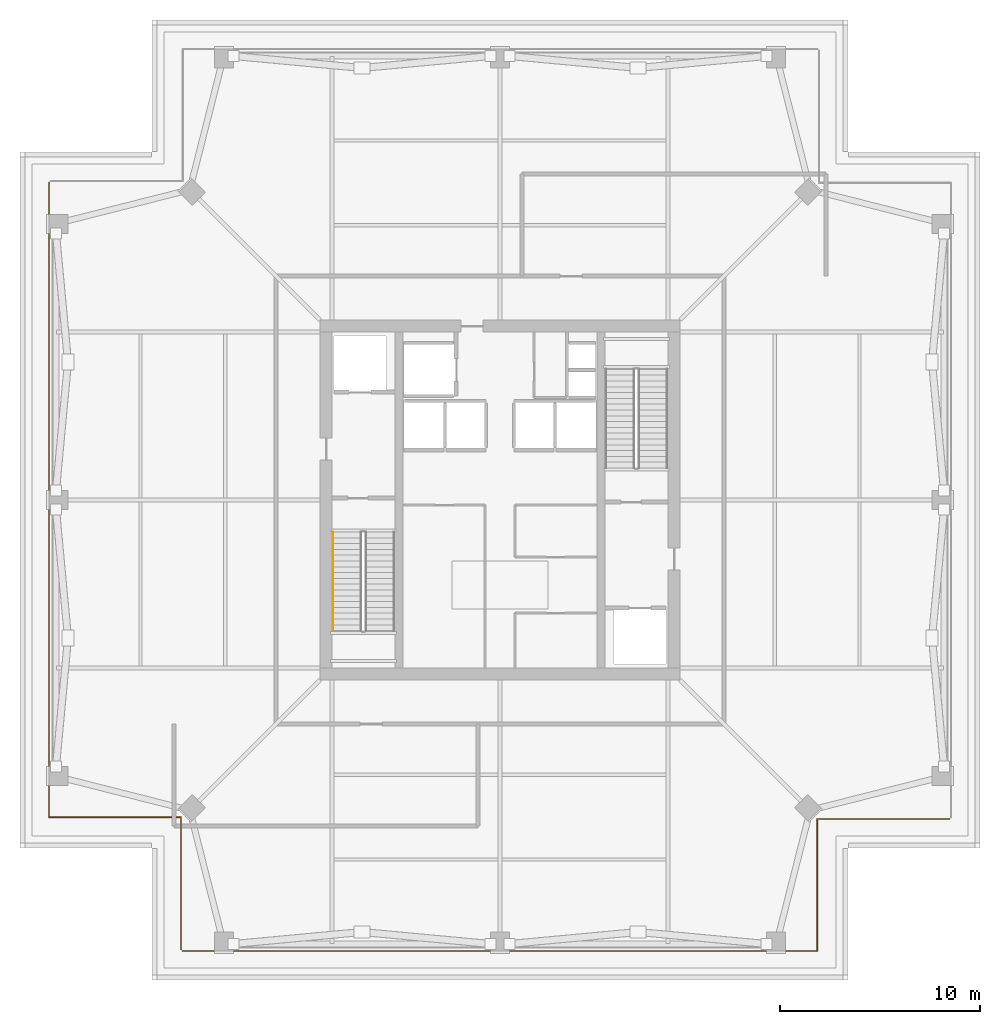
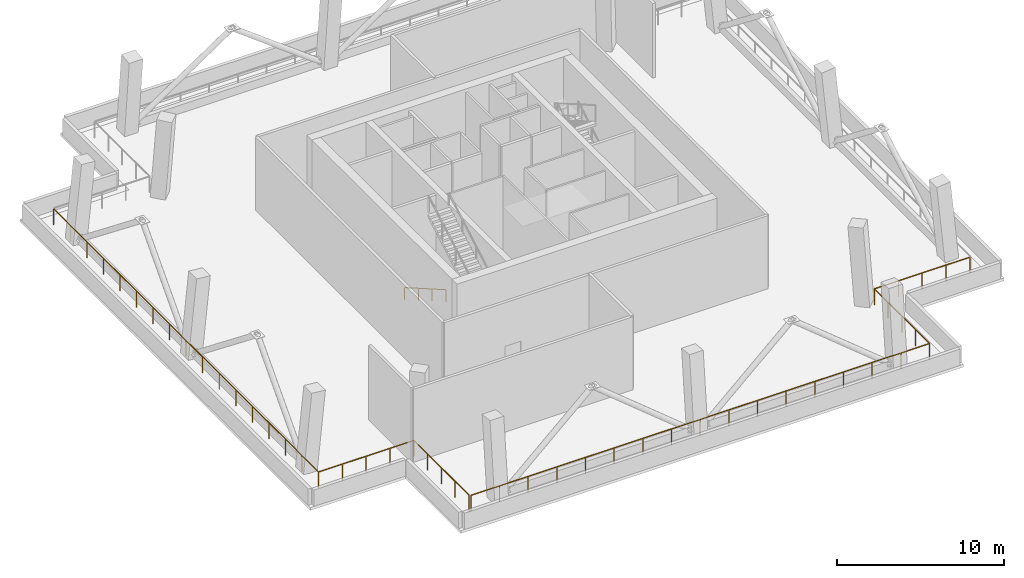
# One storey, part 5 of 7: 3 railings.
"""IFC4 building model written with IfcOpenShell, lengths in metres."""

from ifc_helpers import new_model, si_unit, direction, frame, origin, origin_2d, place, context, subcontext, project, spatial, rectangle, extrude, material, type_object, element, save


model = new_model("IFC4")

# Units and contexts
model_context = context("Model", 3, precision=1e-05, world=origin(), true_north=direction((0.0, 1.0)))
body_context = subcontext(model_context, "Body", "Model", "MODEL_VIEW")
ifc_project = project(units=[si_unit("LENGTHUNIT", "METRE"), si_unit("AREAUNIT", "SQUARE_METRE"), si_unit("VOLUMEUNIT", "CUBIC_METRE"), si_unit("PLANEANGLEUNIT", "RADIAN"), si_unit("MASSUNIT", "GRAM", prefix="KILO")], contexts=[model_context])

# Site, building, storey
site_placement = place(None, origin())
site = spatial("IfcSite", under=ifc_project, at=site_placement, CompositionType="ELEMENT")
building_placement = place(site_placement, origin())
building = spatial("IfcBuilding", under=site, at=building_placement, Name="Belovzor Exchange Tower", CompositionType="ELEMENT")
storey_placement = place(building_placement, frame((0.0, 0.0, 289.5)))
storey = spatial("IfcBuildingStorey", under=building, at=storey_placement, Name="L72", CompositionType="ELEMENT", Elevation=289.5)

# Railings
ifc_material_1 = material(Name="Stainless Steel Grade 304", Category="steel")
railing_type_1 = type_object("IfcRailingType", Name="Brushed Stainless Steel Stair Handrail 900", PredefinedType="HANDRAIL", material=ifc_material_1)
railing_1_placement = place(storey_placement, frame((20.449951171875, 27.199951171875, 0.166748046875)))
element("IfcRailing", 1, at=railing_1_placement, inside=storey, type_object=railing_type_1, Name="L72 ST-1 stair handrail 1", PredefinedType="HANDRAIL", context=body_context, shape_type="SweptSolid", body=[
    extrude(rectangle(XDim=0.048095703125, YDim=0.048095703125, at=origin_2d()), frame((0.0, 0.0, 0.8759765625), z_axis=(0.0, -0.867017142139, 0.498278311025), x_axis=(1.0, 0.0, 0.0)), (0.0, 0.0, 1.0), 5.68603515625),
    extrude(rectangle(XDim=0.0419921875, YDim=0.0419921875, at=origin_2d()), origin(), (0.0, 0.0, 1.0), 0.851806640625),
    extrude(rectangle(XDim=0.0419921875, YDim=0.0419921875, at=origin_2d()), frame((0.0, -1.643310546875, 0.9443359375)), (0.0, 0.0, 1.0), 0.851806640625),
    extrude(rectangle(XDim=0.0419921875, YDim=0.0419921875, at=origin_2d()), frame((0.0, -3.28662109375, 1.888916015625)), (0.0, 0.0, 1.0), 0.851806640625),
    extrude(rectangle(XDim=0.0419921875, YDim=0.0419921875, at=origin_2d()), frame((0.0, -4.929931640625, 2.833251953125)), (0.0, 0.0, 1.0), 0.851806640625),
])
ifc_material_2 = material(Name="Steel S355", Category="steel")
railing_type_2 = type_object("IfcRailingType", Name="Galvanised Steel Perimeter Safety Guardrail 1200", PredefinedType="GUARDRAIL", material=ifc_material_2)
railing_2_placement = place(storey_placement, frame((12.929931640625, 6.25, 0.0)))
element("IfcRailing", 2, at=railing_2_placement, inside=storey, type_object=railing_type_2, Name="GR-2 Wind-Portal Perimeter Guardrail L72 S", PredefinedType="GUARDRAIL", context=body_context, shape_type="SweptSolid", body=[
    extrude(rectangle(XDim=0.048095703125, YDim=0.048095703125, at=origin_2d()), frame((0.0, 0.0, 1.17578125), z_axis=(1.0, 0.0, 0.0), x_axis=(0.0, 1.0, 0.0)), (0.0, 0.0, 1.0), 31.739990234375),
    extrude(rectangle(XDim=0.048095703125, YDim=0.048095703125, at=origin_2d()), frame((31.739990234375, 0.0, 1.17578125), z_axis=(0.0, 1.0, 0.0), x_axis=(-1.0, 0.0, 0.0)), (0.0, 0.0, 1.0), 6.60009765625),
    extrude(rectangle(XDim=0.048095703125, YDim=0.048095703125, at=origin_2d()), frame((31.739990234375, 6.60009765625, 1.17578125), z_axis=(1.0, 0.0, 0.0), x_axis=(0.0, 1.0, 0.0)), (0.0, 0.0, 1.0), 6.60009765625),
    extrude(rectangle(XDim=0.0419921875, YDim=0.0419921875, at=origin_2d()), origin(), (0.0, 0.0, 1.0), 1.15185546875),
    extrude(rectangle(XDim=0.0419921875, YDim=0.0419921875, at=origin_2d()), frame((1.983642578125, 0.0, 0.0)), (0.0, 0.0, 1.0), 1.15185546875),
    extrude(rectangle(XDim=0.0419921875, YDim=0.0419921875, at=origin_2d()), frame((3.967529296875, 0.0, 0.0)), (0.0, 0.0, 1.0), 1.15185546875),
    extrude(rectangle(XDim=0.0419921875, YDim=0.0419921875, at=origin_2d()), frame((5.951171875, 0.0, 0.0)), (0.0, 0.0, 1.0), 1.15185546875),
    extrude(rectangle(XDim=0.0419921875, YDim=0.0419921875, at=origin_2d()), frame((7.93505859375, 0.0, 0.0)), (0.0, 0.0, 1.0), 1.15185546875),
    extrude(rectangle(XDim=0.0419921875, YDim=0.0419921875, at=origin_2d()), frame((9.918701171875, 0.0, 0.0)), (0.0, 0.0, 1.0), 1.15185546875),
    extrude(rectangle(XDim=0.0419921875, YDim=0.0419921875, at=origin_2d()), frame((11.902587890625, 0.0, 0.0)), (0.0, 0.0, 1.0), 1.15185546875),
    extrude(rectangle(XDim=0.0419921875, YDim=0.0419921875, at=origin_2d()), frame((13.88623046875, 0.0, 0.0)), (0.0, 0.0, 1.0), 1.15185546875),
    extrude(rectangle(XDim=0.0419921875, YDim=0.0419921875, at=origin_2d()), frame((15.8701171875, 0.0, 0.0)), (0.0, 0.0, 1.0), 1.15185546875),
    extrude(rectangle(XDim=0.0419921875, YDim=0.0419921875, at=origin_2d()), frame((17.853759765625, 0.0, 0.0)), (0.0, 0.0, 1.0), 1.15185546875),
    extrude(rectangle(XDim=0.0419921875, YDim=0.0419921875, at=origin_2d()), frame((19.83740234375, 0.0, 0.0)), (0.0, 0.0, 1.0), 1.15185546875),
    extrude(rectangle(XDim=0.0419921875, YDim=0.0419921875, at=origin_2d()), frame((21.8212890625, 0.0, 0.0)), (0.0, 0.0, 1.0), 1.15185546875),
    extrude(rectangle(XDim=0.0419921875, YDim=0.0419921875, at=origin_2d()), frame((23.804931640625, 0.0, 0.0)), (0.0, 0.0, 1.0), 1.15185546875),
    extrude(rectangle(XDim=0.0419921875, YDim=0.0419921875, at=origin_2d()), frame((25.788818359375, 0.0, 0.0)), (0.0, 0.0, 1.0), 1.15185546875),
    extrude(rectangle(XDim=0.0419921875, YDim=0.0419921875, at=origin_2d()), frame((27.7724609375, 0.0, 0.0)), (0.0, 0.0, 1.0), 1.15185546875),
    extrude(rectangle(XDim=0.0419921875, YDim=0.0419921875, at=origin_2d()), frame((29.75634765625, 0.0, 0.0)), (0.0, 0.0, 1.0), 1.15185546875),
    extrude(rectangle(XDim=0.0419921875, YDim=0.0419921875, at=origin_2d()), frame((31.739990234375, 0.0, 0.0)), (0.0, 0.0, 1.0), 1.15185546875),
    extrude(rectangle(XDim=0.0419921875, YDim=0.0419921875, at=origin_2d()), frame((31.739990234375, 1.64990234375, 0.0)), (0.0, 0.0, 1.0), 1.15185546875),
    extrude(rectangle(XDim=0.0419921875, YDim=0.0419921875, at=origin_2d()), frame((31.739990234375, 3.300048828125, 0.0)), (0.0, 0.0, 1.0), 1.15185546875),
    extrude(rectangle(XDim=0.0419921875, YDim=0.0419921875, at=origin_2d()), frame((31.739990234375, 4.9501953125, 0.0)), (0.0, 0.0, 1.0), 1.15185546875),
    extrude(rectangle(XDim=0.0419921875, YDim=0.0419921875, at=origin_2d()), frame((31.739990234375, 6.60009765625, 0.0)), (0.0, 0.0, 1.0), 1.15185546875),
    extrude(rectangle(XDim=0.0419921875, YDim=0.0419921875, at=origin_2d()), frame((33.39013671875, 6.60009765625, 0.0)), (0.0, 0.0, 1.0), 1.15185546875),
    extrude(rectangle(XDim=0.0419921875, YDim=0.0419921875, at=origin_2d()), frame((35.0400390625, 6.60009765625, 0.0)), (0.0, 0.0, 1.0), 1.15185546875),
    extrude(rectangle(XDim=0.0419921875, YDim=0.0419921875, at=origin_2d()), frame((36.68994140625, 6.60009765625, 0.0)), (0.0, 0.0, 1.0), 1.15185546875),
    extrude(rectangle(XDim=0.0419921875, YDim=0.0419921875, at=origin_2d()), frame((38.340087890625, 6.60009765625, 0.0)), (0.0, 0.0, 1.0), 1.15185546875),
])
railing_3_placement = place(storey_placement, frame((6.25, 44.669921875, 0.0)))
element("IfcRailing", 3, at=railing_3_placement, inside=storey, type_object=railing_type_2, Name="GR-2 Wind-Portal Perimeter Guardrail L72 W", PredefinedType="GUARDRAIL", context=body_context, shape_type="SweptSolid", body=[
    extrude(rectangle(XDim=0.048095703125, YDim=0.048095703125, at=origin_2d()), frame((0.0, 0.0, 1.17578125), z_axis=(0.0, -1.0, 0.0), x_axis=(1.0, 0.0, 0.0)), (0.0, 0.0, 1.0), 31.739990234375),
    extrude(rectangle(XDim=0.048095703125, YDim=0.048095703125, at=origin_2d()), frame((0.0, -31.739990234375, 1.17578125), z_axis=(1.0, 0.0, 0.0), x_axis=(0.0, 1.0, 0.0)), (0.0, 0.0, 1.0), 6.60009765625),
    extrude(rectangle(XDim=0.048095703125, YDim=0.048095703125, at=origin_2d()), frame((6.60009765625, -31.739990234375, 1.17578125), z_axis=(0.0, -1.0, 0.0), x_axis=(1.0, 0.0, 0.0)), (0.0, 0.0, 1.0), 6.599853515625),
    extrude(rectangle(XDim=0.0419921875, YDim=0.0419921875, at=origin_2d()), origin(), (0.0, 0.0, 1.0), 1.15185546875),
    extrude(rectangle(XDim=0.0419921875, YDim=0.0419921875, at=origin_2d()), frame((0.0, -1.983642578125, 0.0)), (0.0, 0.0, 1.0), 1.15185546875),
    extrude(rectangle(XDim=0.0419921875, YDim=0.0419921875, at=origin_2d()), frame((0.0, -3.967529296875, 0.0)), (0.0, 0.0, 1.0), 1.15185546875),
    extrude(rectangle(XDim=0.0419921875, YDim=0.0419921875, at=origin_2d()), frame((0.0, -5.951171875, 0.0)), (0.0, 0.0, 1.0), 1.15185546875),
    extrude(rectangle(XDim=0.0419921875, YDim=0.0419921875, at=origin_2d()), frame((0.0, -7.93505859375, 0.0)), (0.0, 0.0, 1.0), 1.15185546875),
    extrude(rectangle(XDim=0.0419921875, YDim=0.0419921875, at=origin_2d()), frame((0.0, -9.918701171875, 0.0)), (0.0, 0.0, 1.0), 1.15185546875),
    extrude(rectangle(XDim=0.0419921875, YDim=0.0419921875, at=origin_2d()), frame((0.0, -11.902587890625, 0.0)), (0.0, 0.0, 1.0), 1.15185546875),
    extrude(rectangle(XDim=0.0419921875, YDim=0.0419921875, at=origin_2d()), frame((0.0, -13.88623046875, 0.0)), (0.0, 0.0, 1.0), 1.15185546875),
    extrude(rectangle(XDim=0.0419921875, YDim=0.0419921875, at=origin_2d()), frame((0.0, -15.8701171875, 0.0)), (0.0, 0.0, 1.0), 1.15185546875),
    extrude(rectangle(XDim=0.0419921875, YDim=0.0419921875, at=origin_2d()), frame((0.0, -17.853759765625, 0.0)), (0.0, 0.0, 1.0), 1.15185546875),
    extrude(rectangle(XDim=0.0419921875, YDim=0.0419921875, at=origin_2d()), frame((0.0, -19.83740234375, 0.0)), (0.0, 0.0, 1.0), 1.15185546875),
    extrude(rectangle(XDim=0.0419921875, YDim=0.0419921875, at=origin_2d()), frame((0.0, -21.8212890625, 0.0)), (0.0, 0.0, 1.0), 1.15185546875),
    extrude(rectangle(XDim=0.0419921875, YDim=0.0419921875, at=origin_2d()), frame((0.0, -23.804931640625, 0.0)), (0.0, 0.0, 1.0), 1.15185546875),
    extrude(rectangle(XDim=0.0419921875, YDim=0.0419921875, at=origin_2d()), frame((0.0, -25.788818359375, 0.0)), (0.0, 0.0, 1.0), 1.15185546875),
    extrude(rectangle(XDim=0.0419921875, YDim=0.0419921875, at=origin_2d()), frame((0.0, -27.7724609375, 0.0)), (0.0, 0.0, 1.0), 1.15185546875),
    extrude(rectangle(XDim=0.0419921875, YDim=0.0419921875, at=origin_2d()), frame((0.0, -29.75634765625, 0.0)), (0.0, 0.0, 1.0), 1.15185546875),
    extrude(rectangle(XDim=0.0419921875, YDim=0.0419921875, at=origin_2d()), frame((0.0, -31.739990234375, 0.0)), (0.0, 0.0, 1.0), 1.15185546875),
    extrude(rectangle(XDim=0.0419921875, YDim=0.0419921875, at=origin_2d()), frame((1.64990234375, -31.739990234375, 0.0)), (0.0, 0.0, 1.0), 1.15185546875),
    extrude(rectangle(XDim=0.0419921875, YDim=0.0419921875, at=origin_2d()), frame((3.300048828125, -31.739990234375, 0.0)), (0.0, 0.0, 1.0), 1.15185546875),
    extrude(rectangle(XDim=0.0419921875, YDim=0.0419921875, at=origin_2d()), frame((4.9501953125, -31.739990234375, 0.0)), (0.0, 0.0, 1.0), 1.15185546875),
    extrude(rectangle(XDim=0.0419921875, YDim=0.0419921875, at=origin_2d()), frame((6.60009765625, -31.739990234375, 0.0)), (0.0, 0.0, 1.0), 1.15185546875),
    extrude(rectangle(XDim=0.0419921875, YDim=0.0419921875, at=origin_2d()), frame((6.60009765625, -33.389892578125, 0.0)), (0.0, 0.0, 1.0), 1.15185546875),
    extrude(rectangle(XDim=0.0419921875, YDim=0.0419921875, at=origin_2d()), frame((6.60009765625, -35.0400390625, 0.0)), (0.0, 0.0, 1.0), 1.15185546875),
    extrude(rectangle(XDim=0.0419921875, YDim=0.0419921875, at=origin_2d()), frame((6.60009765625, -36.68994140625, 0.0)), (0.0, 0.0, 1.0), 1.15185546875),
    extrude(rectangle(XDim=0.0419921875, YDim=0.0419921875, at=origin_2d()), frame((6.60009765625, -38.33984375, 0.0)), (0.0, 0.0, 1.0), 1.15185546875),
])

save(model, "model.ifc")
